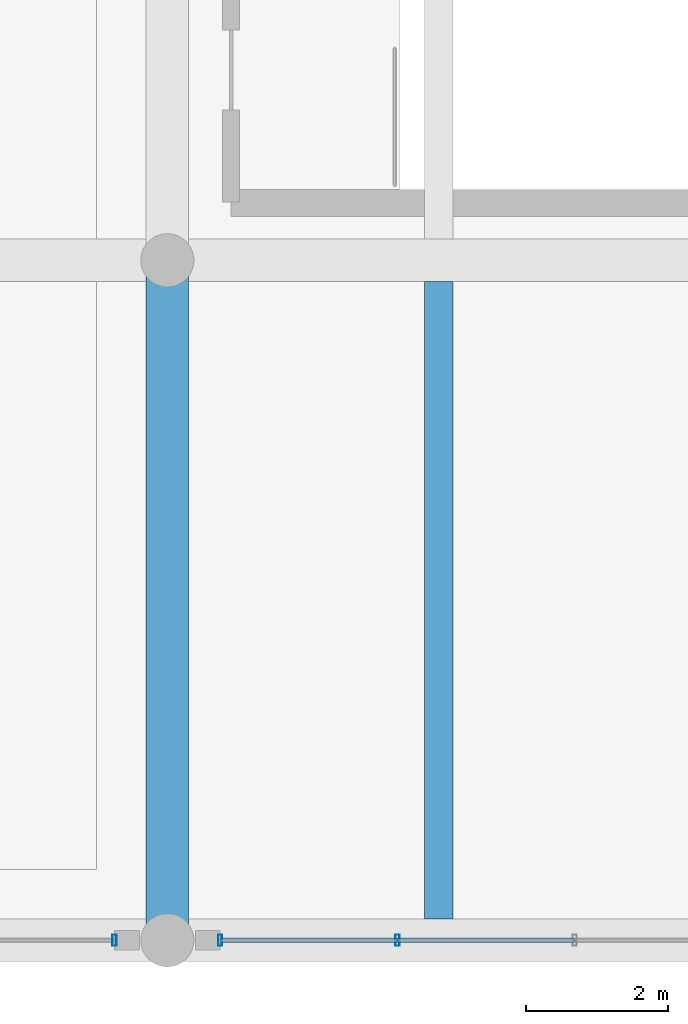
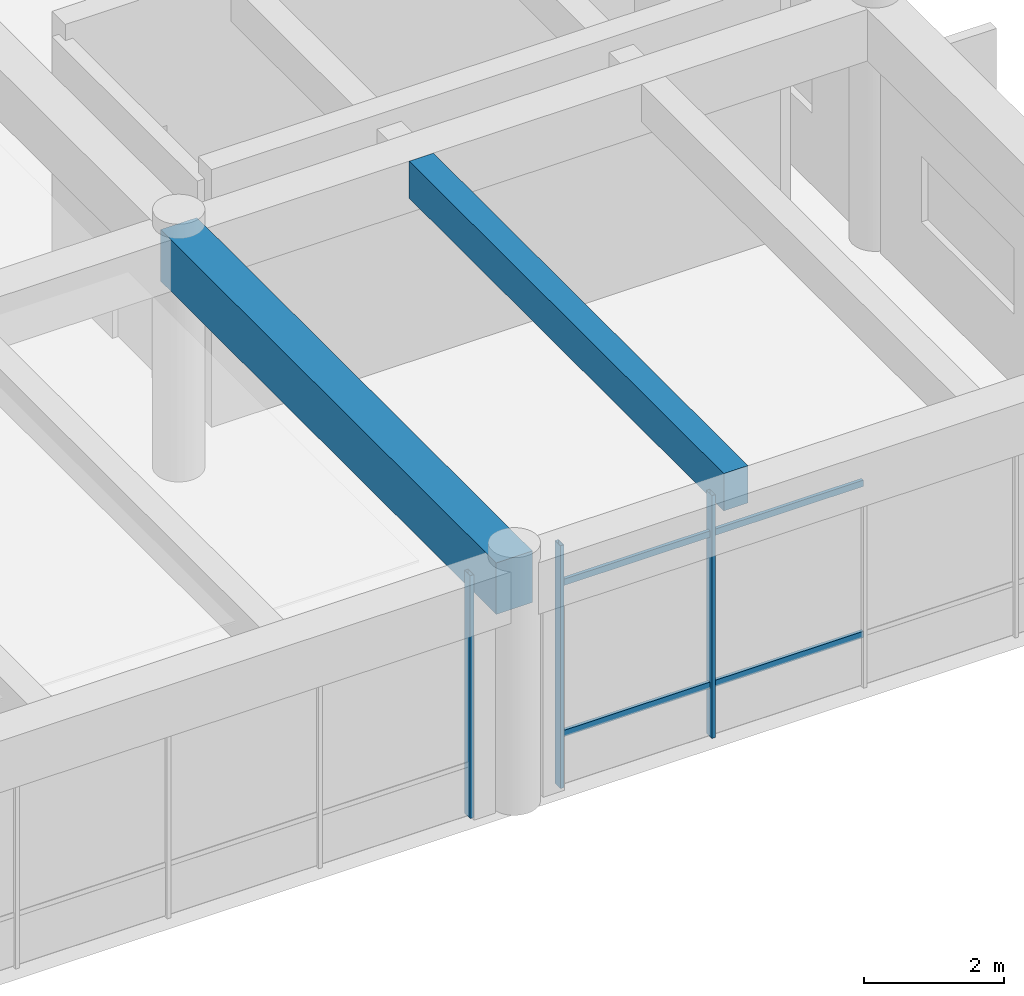
# One storey, part 42 of 154: 7 members, 2 beams, 2 elements without a shape of their own.
"""IFC4 building model written with IfcOpenShell, lengths in metres."""

from ifc_helpers import new_model, si_unit, direction, frame, origin, origin_2d, place, context, subcontext, project, spatial, rectangle, hollow_rectangle, extrude, material, material_profile, profile_set, type_object, element, aggregate, save


model = new_model("IFC4")

# Units and contexts
model_context = context("Model", 3, precision=1e-05, world=origin(), true_north=direction((0.0, 1.0)))
body_context = subcontext(model_context, "Body", "Model", "MODEL_VIEW")
ifc_project = project(units=[si_unit("LENGTHUNIT", "METRE"), si_unit("AREAUNIT", "SQUARE_METRE"), si_unit("VOLUMEUNIT", "CUBIC_METRE"), si_unit("PLANEANGLEUNIT", "RADIAN"), si_unit("MASSUNIT", "GRAM", prefix="KILO")], contexts=[model_context])

# Site, building, storey
site_placement = place(None, origin())
site = spatial("IfcSite", under=ifc_project, at=site_placement, CompositionType="ELEMENT")
building_placement = place(site_placement, origin())
building = spatial("IfcBuilding", under=site, at=building_placement, Name="Ologun Quay Terminus", CompositionType="ELEMENT")
storey_placement = place(building_placement, frame((0.0, 0.0, 13.800048828125)))
storey = spatial("IfcBuildingStorey", under=building, at=storey_placement, Name="L03", CompositionType="ELEMENT", Elevation=13.800048828125)

# Curtain wall, member
ifc_material_1 = material(Name="Aluminium 6063-T6", Category="aluminium")
curtain_wall_type = type_object("IfcCurtainWallType", Name="South Pavilion Reading Hall Curtain Wall 10700x4150", PredefinedType="USERDEFINED", material=ifc_material_1)
curtain_wall_1_placement = place(storey_placement, origin())
curtain_wall_1 = element("IfcCurtainWall", 1, at=curtain_wall_1_placement, inside=storey, type_object=curtain_wall_type, Name="CW-06 Curtain Wall CW-L03-038", ObjectType="UNITISED CURTAIN WALL", PredefinedType="USERDEFINED")
ifc_material_2 = material(Name="Aluminium 6063-T6", Category="aluminium")
ifc_material_profile_1 = material_profile(ifc_material_2, hollow_rectangle(XDim=0.06005859375, YDim=0.159912109375, WallThickness=0.00390625, at=origin_2d()), Name="ALU 160x60x4")
ifc_profile_set_1 = profile_set([ifc_material_profile_1], Name="Aluminium 6063-T6")
member_type_1 = type_object("IfcMemberType", Name="Curtain Wall Standard Mullion 160x65", PredefinedType="MULLION", material=ifc_profile_set_1)
member_1_placement = place(storey_placement, frame((114.2548828125, 8.0, 0.0), z_axis=(0.0, 0.0, 1.0), x_axis=(1.0, 0.0, 0.0)))
member_1 = element("IfcMember", 2, at=member_1_placement, type_object=member_type_1, Name="CW-L03-038 Mullion 5", PredefinedType="MULLION", context=body_context, shape_type="SweptSolid", body=[
    extrude(hollow_rectangle(XDim=0.06005859375, YDim=0.159912109375, WallThickness=0.00390625, at=origin_2d()), origin(), (0.0, 0.0, 1.0), 4.239990234375),
])
aggregate(curtain_wall_1, [member_1])

# Curtain wall, members
curtain_wall_2_placement = place(storey_placement, origin())
curtain_wall_2 = element("IfcCurtainWall", 3, at=curtain_wall_2_placement, inside=storey, type_object=curtain_wall_type, Name="CW-06 Curtain Wall CW-L03-039", ObjectType="UNITISED CURTAIN WALL", PredefinedType="USERDEFINED")
member_2_placement = place(storey_placement, frame((115.7451171875, 8.0, 0.0), z_axis=(0.0, 0.0, 1.0), x_axis=(1.0, 0.0, 0.0)))
member_2 = element("IfcMember", 4, at=member_2_placement, type_object=member_type_1, Name="CW-L03-039 Mullion 1", PredefinedType="MULLION", context=body_context, shape_type="SweptSolid", body=[
    extrude(hollow_rectangle(XDim=0.06005859375, YDim=0.159912109375, WallThickness=0.00390625, at=origin_2d()), origin(), (0.0, 0.0, 1.0), 4.239990234375),
])
member_3_placement = place(storey_placement, frame((118.24755859375, 8.0, 0.0), z_axis=(0.0, 0.0, 1.0), x_axis=(1.0, 0.0, 0.0)))
member_3 = element("IfcMember", 5, at=member_3_placement, type_object=member_type_1, Name="CW-L03-039 Mullion 2", PredefinedType="MULLION", context=body_context, shape_type="SweptSolid", body=[
    extrude(hollow_rectangle(XDim=0.06005859375, YDim=0.159912109375, WallThickness=0.00390625, at=origin_2d()), origin(), (0.0, 0.0, 1.0), 4.239990234375),
])
ifc_material_3 = material(Name="Aluminium 6063-T6", Category="aluminium")
ifc_material_profile_2 = material_profile(ifc_material_3, hollow_rectangle(XDim=0.054931640625, YDim=0.110107421875, WallThickness=0.00390625, at=origin_2d()), Name="ALU 110x55x4")
ifc_profile_set_2 = profile_set([ifc_material_profile_2], Name="Aluminium 6063-T6")
member_type_2 = type_object("IfcMemberType", Name="Curtain Wall Standard Transom 110x55", PredefinedType="USERDEFINED", material=ifc_profile_set_2)
member_4_placement = place(storey_placement, frame((115.7451171875, 8.0, 0.89990234375), z_axis=(1.0, 0.0, 0.0), x_axis=(0.0, 1.0, 0.0)))
member_4 = element("IfcMember", 6, at=member_4_placement, type_object=member_type_2, Name="CW-L03-039 Transom B1-1", ObjectType="TRANSOM", PredefinedType="USERDEFINED", context=body_context, shape_type="SweptSolid", body=[
    extrude(hollow_rectangle(XDim=0.054931640625, YDim=0.110107421875, WallThickness=0.00390625, at=origin_2d()), origin(), (0.0, 0.0, 1.0), 2.50244140625),
])
member_5_placement = place(storey_placement, frame((115.7451171875, 8.0, 3.5400390625), z_axis=(1.0, 0.0, 0.0), x_axis=(0.0, 1.0, 0.0)))
member_5 = element("IfcMember", 7, at=member_5_placement, type_object=member_type_2, Name="CW-L03-039 Transom B1-2", ObjectType="TRANSOM", PredefinedType="USERDEFINED", context=body_context, shape_type="SweptSolid", body=[
    extrude(hollow_rectangle(XDim=0.054931640625, YDim=0.110107421875, WallThickness=0.00390625, at=origin_2d()), origin(), (0.0, 0.0, 1.0), 2.50244140625),
])
member_6_placement = place(storey_placement, frame((118.24755859375, 8.0, 0.89990234375), z_axis=(1.0, 0.0, 0.0), x_axis=(0.0, 1.0, 0.0)))
member_6 = element("IfcMember", 8, at=member_6_placement, type_object=member_type_2, Name="CW-L03-039 Transom B2-1", ObjectType="TRANSOM", PredefinedType="USERDEFINED", context=body_context, shape_type="SweptSolid", body=[
    extrude(hollow_rectangle(XDim=0.054931640625, YDim=0.110107421875, WallThickness=0.00390625, at=origin_2d()), origin(), (0.0, 0.0, 1.0), 2.50244140625),
])
member_7_placement = place(storey_placement, frame((118.24755859375, 8.0, 3.5400390625), z_axis=(1.0, 0.0, 0.0), x_axis=(0.0, 1.0, 0.0)))
member_7 = element("IfcMember", 9, at=member_7_placement, type_object=member_type_2, Name="CW-L03-039 Transom B2-2", ObjectType="TRANSOM", PredefinedType="USERDEFINED", context=body_context, shape_type="SweptSolid", body=[
    extrude(hollow_rectangle(XDim=0.054931640625, YDim=0.110107421875, WallThickness=0.00390625, at=origin_2d()), origin(), (0.0, 0.0, 1.0), 2.50244140625),
])
aggregate(curtain_wall_2, [member_2, member_3, member_4, member_5, member_6, member_7])

# Beams
ifc_material_4 = material(Name="Concrete C40/50", Category="concrete")
ifc_material_profile_3 = material_profile(ifc_material_4, rectangle(XDim=0.60009765625, YDim=0.89990234375, at=origin_2d()), Name="RC 600x900")
ifc_profile_set_3 = profile_set([ifc_material_profile_3], Name="Concrete C40/50")
beam_type_1 = type_object("IfcBeamType", Name="Station Frame Girder 600x900", PredefinedType="BEAM", material=ifc_profile_set_3)
beam_1_placement = place(storey_placement, frame((115.0, 8.0, 3.800048828125), z_axis=(0.0, 1.0, 0.0), x_axis=(-1.0, 0.0, 0.0)))
element("IfcBeam", 10, at=beam_1_placement, inside=storey, type_object=beam_type_1, Name="B3 Beam 11/B L03", PredefinedType="BEAM", context=body_context, shape_type="SweptSolid", body=[
    extrude(rectangle(XDim=0.60009765625, YDim=0.89990234375, at=origin_2d()), origin(), (0.0, 0.0, 1.0), 9.60009765625),
])
ifc_material_5 = material(Name="Concrete C40/50", Category="concrete")
ifc_material_profile_4 = material_profile(ifc_material_5, rectangle(XDim=0.39990234375, YDim=0.64990234375, at=origin_2d()), Name="RC 400x650")
ifc_profile_set_4 = profile_set([ifc_material_profile_4], Name="Concrete C40/50")
beam_type_2 = type_object("IfcBeamType", Name="Station Secondary Joist 400x650", PredefinedType="JOIST", material=ifc_profile_set_4)
beam_2_placement = place(storey_placement, frame((118.833251953125, 8.300048828125, 3.925048828125), z_axis=(0.0, 1.0, 0.0), x_axis=(-1.0, 0.0, 0.0)))
element("IfcBeam", 11, at=beam_2_placement, inside=storey, type_object=beam_type_2, Name="J1 Beam 11/B L03", PredefinedType="JOIST", context=body_context, shape_type="SweptSolid", body=[
    extrude(rectangle(XDim=0.39990234375, YDim=0.64990234375, at=origin_2d()), origin(), (0.0, 0.0, 1.0), 9.0),
])

save(model, "model.ifc")
